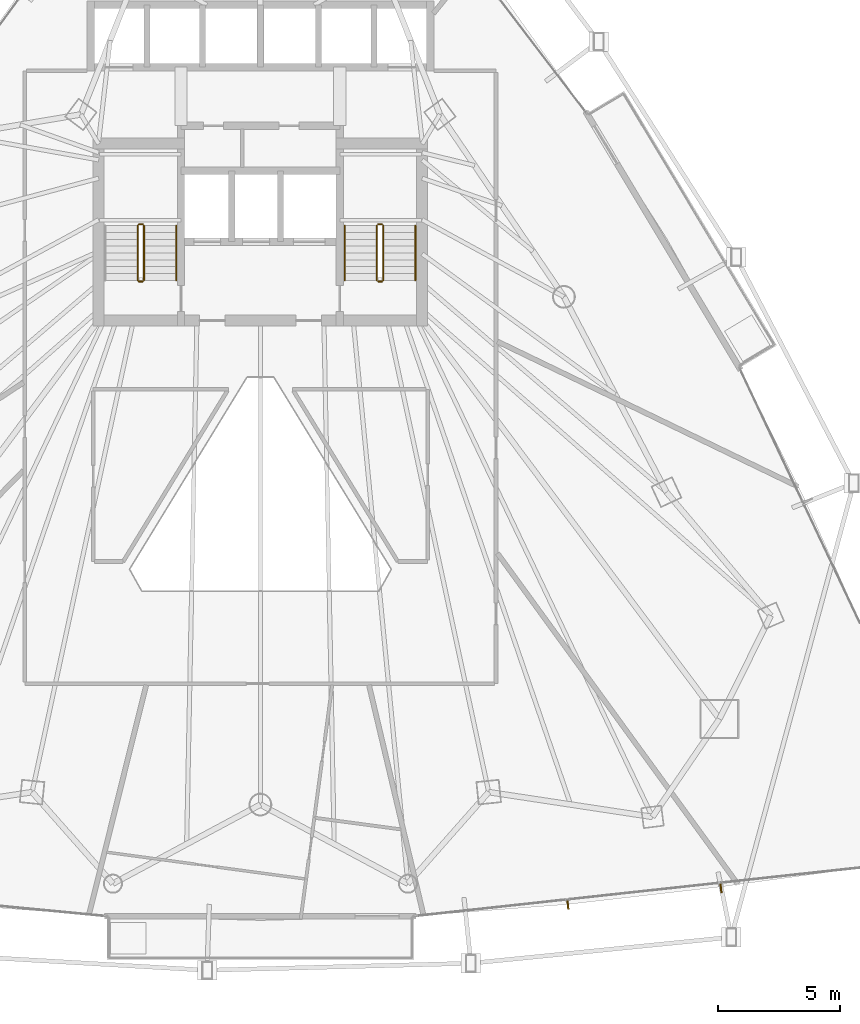
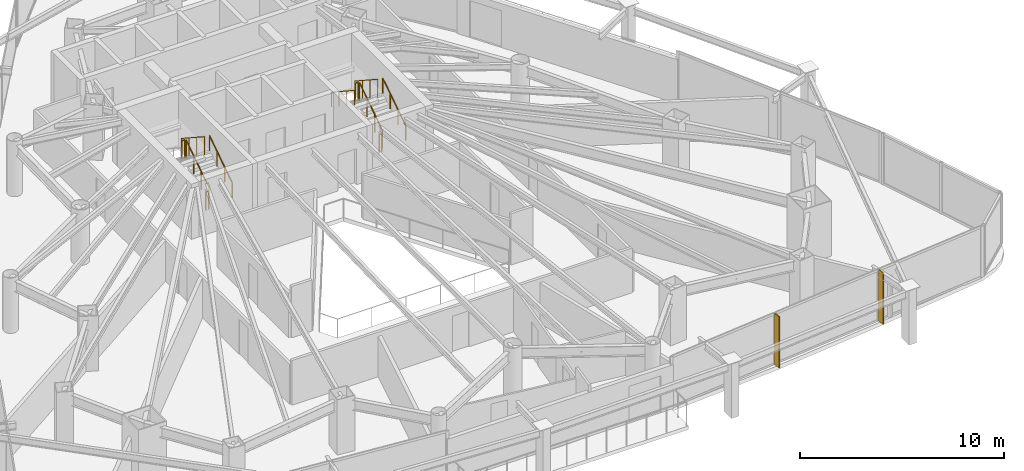
# One storey, part 32 of 33: 11 railings, 2 shading devices.
"""IFC4 building model written with IfcOpenShell, lengths in metres."""

from ifc_helpers import new_model, si_unit, direction, frame, origin, origin_2d, place, context, subcontext, project, spatial, rectangle, circle, extrude, material, layer, layer_set, type_object, element, save


model = new_model("IFC4")

# Units and contexts
model_context = context("Model", 3, precision=1e-05, world=origin(), true_north=direction((0.0, 1.0)))
body_context = subcontext(model_context, "Body", "Model", "MODEL_VIEW")
ifc_project = project(units=[si_unit("LENGTHUNIT", "METRE"), si_unit("AREAUNIT", "SQUARE_METRE"), si_unit("VOLUMEUNIT", "CUBIC_METRE"), si_unit("PLANEANGLEUNIT", "RADIAN"), si_unit("MASSUNIT", "GRAM", prefix="KILO")], contexts=[model_context])

# Site, building, storey
site_placement = place(None, origin())
site = spatial("IfcSite", under=ifc_project, at=site_placement, CompositionType="ELEMENT")
building_placement = place(site_placement, origin())
building = spatial("IfcBuilding", under=site, at=building_placement, Name="Orvanel Arch Residences", CompositionType="ELEMENT")
storey_placement = place(building_placement, frame((0.0, 0.0, 87.35009765625)))
storey = spatial("IfcBuildingStorey", under=building, at=storey_placement, Name="L24", CompositionType="ELEMENT", Elevation=87.35009765625)

# Shading devices
ifc_material_1 = material(Name="Bronze-anodised aluminium AA6063-T6", Category="aluminium")
ifc_layer = layer(ifc_material_1, 0.06005859375)
ifc_layer_set = layer_set([ifc_layer], Name="Bronze-anodised aluminium AA6063-T6")
shading_device_type = type_object("IfcShadingDeviceType", Name="FIN-BRZ-380", PredefinedType="USERDEFINED", material=ifc_layer_set)
for number, where, z_axis, x_axis, name in (
    (1, (45.593994140625, 2.739013671875, -0.000244140625), (0.0, 0.0, 1.0), (0.107999355706, -0.994150963972, 0.0), "L24 Anodised Bronze Mullion FIN 01"),
    (2, (51.863037109375, 3.422119140625, -0.000244140625), (0.0, 0.0, 1.0), (0.107999355706, -0.994150963972, 0.0), "L24 Anodised Bronze Mullion FIN 02"),
):
    element("IfcShadingDevice", number, at=place(storey_placement, frame(where, z_axis=z_axis, x_axis=x_axis)), inside=storey, type_object=shading_device_type, Name=name, ObjectType="FIN", PredefinedType="USERDEFINED", context=body_context, shape_type="SweptSolid", body=[
        extrude(rectangle(XDim=0.3798828125, YDim=0.06005859375, at=origin_2d()), origin(), (0.0, 0.0, 1.0), 3.06005859375),
    ])

# Railings
ifc_material_2 = material(Name="Structural steel AS/NZS 1163 C350L0 (Grade 350)", Category="steel")
railing_type_1 = type_object("IfcRailingType", Name="RL-STAIR-GUARD", PredefinedType="GUARDRAIL", material=ifc_material_2)
railing_1_placement = place(storey_placement, frame((28.22998046875, 28.320068359375, 0.183349609375)))
element("IfcRailing", 3, at=railing_1_placement, inside=storey, type_object=railing_type_1, Name="L24 ST-1 stair guard 1", PredefinedType="GUARDRAIL", context=body_context, shape_type="SweptSolid", body=[
    extrude(circle(Radius=0.02392578125, at=origin_2d()), frame((0.0, 0.001220703125, 1.076904296875), z_axis=(0.0, 0.836636935527, 0.547757827979), x_axis=(-1.0, 0.0, 0.0)), (0.0, 0.0, 1.0), 2.67431640625),
    extrude(circle(Radius=0.02099609375, at=origin_2d()), origin(), (0.0, 0.0, 1.0), 1.050048828125),
    extrude(circle(Radius=0.02099609375, at=origin_2d()), frame((0.0, 0.74658203125, 0.48876953125)), (0.0, 0.0, 1.0), 1.050048828125),
    extrude(circle(Radius=0.02099609375, at=origin_2d()), frame((0.0, 1.493408203125, 0.977783203125)), (0.0, 0.0, 1.0), 1.050048828125),
    extrude(circle(Radius=0.02099609375, at=origin_2d()), frame((0.0, 2.239990234375, 1.466552734375)), (0.0, 0.0, 1.0), 1.050048828125),
])
railing_2_placement = place(storey_placement, frame((28.179931640625, 30.610107421875, 1.64990234375)))
element("IfcRailing", 4, at=railing_2_placement, inside=storey, type_object=railing_type_1, Name="L24 ST-1 stair guard 2", PredefinedType="GUARDRAIL", context=body_context, shape_type="SweptSolid", body=[
    extrude(circle(Radius=0.02392578125, at=origin_2d()), frame((-0.00146484375, 0.0, 1.076171875), z_axis=(-1.0, 0.0, 0.0), x_axis=(0.0, -1.0, 0.0)), (0.0, 0.0, 1.0), 0.156982421875),
    extrude(circle(Radius=0.02099609375, at=origin_2d()), origin(), (0.0, 0.0, 1.0), 1.050048828125),
    extrude(circle(Radius=0.02099609375, at=origin_2d()), frame((-0.159912109375, 0.0, 0.0)), (0.0, 0.0, 1.0), 1.050048828125),
])
railing_3_placement = place(storey_placement, frame((27.969970703125, 30.56005859375, 1.833251953125)))
element("IfcRailing", 5, at=railing_3_placement, inside=storey, type_object=railing_type_1, Name="L24 ST-1 stair guard 3", PredefinedType="GUARDRAIL", context=body_context, shape_type="SweptSolid", body=[
    extrude(circle(Radius=0.02392578125, at=origin_2d()), frame((0.0, -0.001220703125, 1.076904296875), z_axis=(0.0, -0.836636935527, 0.547757827979), x_axis=(1.0, 0.0, 0.0)), (0.0, 0.0, 1.0), 2.67431640625),
    extrude(circle(Radius=0.02099609375, at=origin_2d()), origin(), (0.0, 0.0, 1.0), 1.050048828125),
    extrude(circle(Radius=0.02099609375, at=origin_2d()), frame((0.0, -0.74658203125, 0.48876953125)), (0.0, 0.0, 1.0), 1.050048828125),
    extrude(circle(Radius=0.02099609375, at=origin_2d()), frame((0.0, -1.493408203125, 0.977783203125)), (0.0, 0.0, 1.0), 1.050048828125),
    extrude(circle(Radius=0.02099609375, at=origin_2d()), frame((0.0, -2.239990234375, 1.466552734375)), (0.0, 0.0, 1.0), 1.050048828125),
])
railing_4_placement = place(storey_placement, frame((28.179931640625, 28.27001953125, 0.0)))
element("IfcRailing", 6, at=railing_4_placement, inside=storey, type_object=railing_type_1, Name="L24 ST-1 stair guard 4", PredefinedType="GUARDRAIL", context=body_context, shape_type="SweptSolid", body=[
    extrude(circle(Radius=0.02392578125, at=origin_2d()), frame((-0.00146484375, 0.0, 1.076171875), z_axis=(-1.0, 0.0, 0.0), x_axis=(0.0, -1.0, 0.0)), (0.0, 0.0, 1.0), 0.156982421875),
    extrude(circle(Radius=0.02099609375, at=origin_2d()), origin(), (0.0, 0.0, 1.0), 1.050048828125),
    extrude(circle(Radius=0.02099609375, at=origin_2d()), frame((-0.159912109375, 0.0, 0.0)), (0.0, 0.0, 1.0), 1.050048828125),
])
railing_5_placement = place(storey_placement, frame((38.030029296875, 28.320068359375, 0.183349609375)))
element("IfcRailing", 7, at=railing_5_placement, inside=storey, type_object=railing_type_1, Name="L24 ST-2 stair guard 1", PredefinedType="GUARDRAIL", context=body_context, shape_type="SweptSolid", body=[
    extrude(circle(Radius=0.02392578125, at=origin_2d()), frame((0.0, 0.001220703125, 1.076904296875), z_axis=(0.0, 0.836636935527, 0.547757827979), x_axis=(-1.0, 0.0, 0.0)), (0.0, 0.0, 1.0), 2.67431640625),
    extrude(circle(Radius=0.02099609375, at=origin_2d()), origin(), (0.0, 0.0, 1.0), 1.050048828125),
    extrude(circle(Radius=0.02099609375, at=origin_2d()), frame((0.0, 0.74658203125, 0.48876953125)), (0.0, 0.0, 1.0), 1.050048828125),
    extrude(circle(Radius=0.02099609375, at=origin_2d()), frame((0.0, 1.493408203125, 0.977783203125)), (0.0, 0.0, 1.0), 1.050048828125),
    extrude(circle(Radius=0.02099609375, at=origin_2d()), frame((0.0, 2.239990234375, 1.466552734375)), (0.0, 0.0, 1.0), 1.050048828125),
])
railing_6_placement = place(storey_placement, frame((37.97998046875, 30.610107421875, 1.64990234375)))
element("IfcRailing", 8, at=railing_6_placement, inside=storey, type_object=railing_type_1, Name="L24 ST-2 stair guard 2", PredefinedType="GUARDRAIL", context=body_context, shape_type="SweptSolid", body=[
    extrude(circle(Radius=0.02392578125, at=origin_2d()), frame((-0.00146484375, 0.0, 1.076171875), z_axis=(-1.0, 0.0, 0.0), x_axis=(0.0, -1.0, 0.0)), (0.0, 0.0, 1.0), 0.156982421875),
    extrude(circle(Radius=0.02099609375, at=origin_2d()), origin(), (0.0, 0.0, 1.0), 1.050048828125),
    extrude(circle(Radius=0.02099609375, at=origin_2d()), frame((-0.159912109375, 0.0, 0.0)), (0.0, 0.0, 1.0), 1.050048828125),
])
railing_7_placement = place(storey_placement, frame((37.77001953125, 30.56005859375, 1.833251953125)))
element("IfcRailing", 9, at=railing_7_placement, inside=storey, type_object=railing_type_1, Name="L24 ST-2 stair guard 3", PredefinedType="GUARDRAIL", context=body_context, shape_type="SweptSolid", body=[
    extrude(circle(Radius=0.02392578125, at=origin_2d()), frame((0.0, -0.001220703125, 1.076904296875), z_axis=(0.0, -0.836636935527, 0.547757827979), x_axis=(1.0, 0.0, 0.0)), (0.0, 0.0, 1.0), 2.67431640625),
    extrude(circle(Radius=0.02099609375, at=origin_2d()), origin(), (0.0, 0.0, 1.0), 1.050048828125),
    extrude(circle(Radius=0.02099609375, at=origin_2d()), frame((0.0, -0.74658203125, 0.48876953125)), (0.0, 0.0, 1.0), 1.050048828125),
    extrude(circle(Radius=0.02099609375, at=origin_2d()), frame((0.0, -1.493408203125, 0.977783203125)), (0.0, 0.0, 1.0), 1.050048828125),
    extrude(circle(Radius=0.02099609375, at=origin_2d()), frame((0.0, -2.239990234375, 1.466552734375)), (0.0, 0.0, 1.0), 1.050048828125),
])
railing_8_placement = place(storey_placement, frame((37.97998046875, 28.27001953125, 0.0)))
element("IfcRailing", 10, at=railing_8_placement, inside=storey, type_object=railing_type_1, Name="L24 ST-2 stair guard 4", PredefinedType="GUARDRAIL", context=body_context, shape_type="SweptSolid", body=[
    extrude(circle(Radius=0.02392578125, at=origin_2d()), frame((-0.00146484375, 0.0, 1.076171875), z_axis=(-1.0, 0.0, 0.0), x_axis=(0.0, -1.0, 0.0)), (0.0, 0.0, 1.0), 0.156982421875),
    extrude(circle(Radius=0.02099609375, at=origin_2d()), origin(), (0.0, 0.0, 1.0), 1.050048828125),
    extrude(circle(Radius=0.02099609375, at=origin_2d()), frame((-0.159912109375, 0.0, 0.0)), (0.0, 0.0, 1.0), 1.050048828125),
])
railing_type_2 = type_object("IfcRailingType", Name="RL-STAIR-HAND", PredefinedType="HANDRAIL", material=ifc_material_2)
for number, where, name in (
    (11, (29.550048828125, 28.320068359375, 0.183349609375), "L24 ST-1 stair handrail 1"),
    (12, (39.35009765625, 28.320068359375, 0.183349609375), "L24 ST-2 stair handrail 1"),
):
    element("IfcRailing", number, at=place(storey_placement, frame(where)), inside=storey, type_object=railing_type_2, Name=name, PredefinedType="HANDRAIL", context=body_context, shape_type="SweptSolid", body=[
        extrude(circle(Radius=0.02392578125, at=origin_2d()), frame((0.0, 0.001220703125, 0.876708984375), z_axis=(0.0, 0.836636935527, 0.547757827979), x_axis=(-1.0, 0.0, 0.0)), (0.0, 0.0, 1.0), 2.67431640625),
        extrude(circle(Radius=0.02099609375, at=origin_2d()), origin(), (0.0, 0.0, 1.0), 0.849853515625),
        extrude(circle(Radius=0.02099609375, at=origin_2d()), frame((0.0, 0.74658203125, 0.48876953125)), (0.0, 0.0, 1.0), 0.849853515625),
        extrude(circle(Radius=0.02099609375, at=origin_2d()), frame((0.0, 1.493408203125, 0.977783203125)), (0.0, 0.0, 1.0), 0.849853515625),
        extrude(circle(Radius=0.02099609375, at=origin_2d()), frame((0.0, 2.239990234375, 1.466552734375)), (0.0, 0.0, 1.0), 0.849853515625),
    ])
railing_9_placement = place(storey_placement, frame((36.449951171875, 30.56005859375, 1.833251953125)))
element("IfcRailing", 13, at=railing_9_placement, inside=storey, type_object=railing_type_2, Name="L24 ST-2 stair handrail 2", PredefinedType="HANDRAIL", context=body_context, shape_type="SweptSolid", body=[
    extrude(circle(Radius=0.02392578125, at=origin_2d()), frame((0.0, -0.001220703125, 0.876708984375), z_axis=(0.0, -0.836636935527, 0.547757827979), x_axis=(1.0, 0.0, 0.0)), (0.0, 0.0, 1.0), 2.67431640625),
    extrude(circle(Radius=0.02099609375, at=origin_2d()), origin(), (0.0, 0.0, 1.0), 0.849853515625),
    extrude(circle(Radius=0.02099609375, at=origin_2d()), frame((0.0, -0.74658203125, 0.48876953125)), (0.0, 0.0, 1.0), 0.849853515625),
    extrude(circle(Radius=0.02099609375, at=origin_2d()), frame((0.0, -1.493408203125, 0.977783203125)), (0.0, 0.0, 1.0), 0.849853515625),
    extrude(circle(Radius=0.02099609375, at=origin_2d()), frame((0.0, -2.239990234375, 1.466552734375)), (0.0, 0.0, 1.0), 0.849853515625),
])

save(model, "model.ifc")
